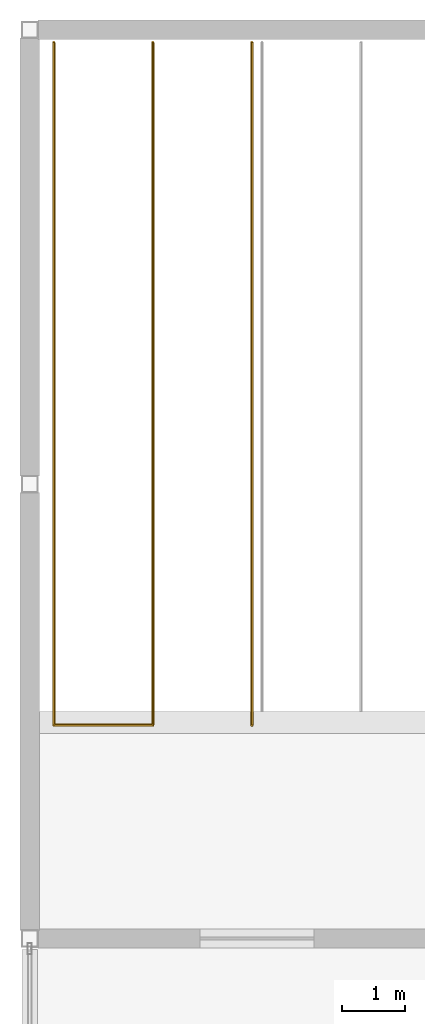
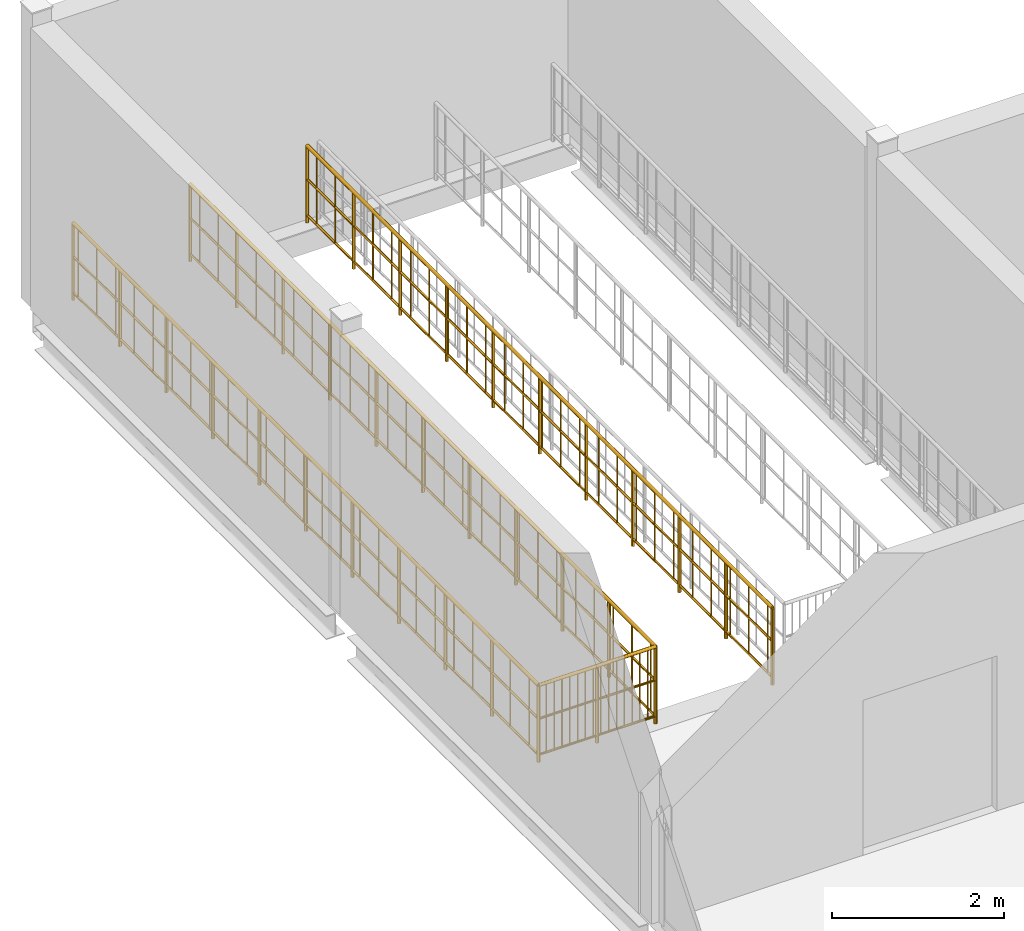
# One storey, part 15 of 18: 2 railings.
"""IFC4 building model written with IfcOpenShell, lengths in metres."""

from ifc_helpers import new_model, si_unit, direction, frame, origin, origin_2d, place, context, subcontext, project, spatial, circle, extrude, material, type_object, element, save


model = new_model("IFC4")

# Units and contexts
model_context = context("Model", 3, precision=1e-05, world=origin(), true_north=direction((0.0, 1.0)))
body_context = subcontext(model_context, "Body", "Model", "MODEL_VIEW")
ifc_project = project(units=[si_unit("LENGTHUNIT", "METRE"), si_unit("AREAUNIT", "SQUARE_METRE"), si_unit("VOLUMEUNIT", "CUBIC_METRE"), si_unit("PLANEANGLEUNIT", "RADIAN"), si_unit("MASSUNIT", "GRAM", prefix="KILO")], contexts=[model_context])

# Site, building, storey
site_placement = place(None, origin())
site = spatial("IfcSite", under=ifc_project, at=site_placement, CompositionType="ELEMENT")
building_placement = place(site_placement, origin())
building = spatial("IfcBuilding", under=site, at=building_placement, Name="Vesperath Aquatics Centre", CompositionType="ELEMENT")
storey_placement = place(building_placement, frame((0.0, 0.0, 23.39990234375)))
storey = spatial("IfcBuildingStorey", under=building, at=storey_placement, Name="L05", CompositionType="ELEMENT", Elevation=23.39990234375)

# Railings
ifc_material = material(Name="Powder-coated galvanized steel safety guard", Category="steel")
railing_type = type_object("IfcRailingType", Name="RL-GRD01", PredefinedType="GUARDRAIL", material=ifc_material)
railing_1_placement = place(storey_placement, frame((115.580078125, 35.800048828125, 0.0)))
element("IfcRailing", 1, at=railing_1_placement, inside=storey, type_object=railing_type, Name="Stair ST7A Top Well Guard GR02 L05", PredefinedType="GUARDRAIL", context=body_context, shape_type="SweptSolid", body=[
    extrude(circle(Radius=0.02392578125, at=origin_2d()), frame((0.0, 0.0, 1.0859375), z_axis=(0.0, -1.0, 0.0), x_axis=(1.0, 0.0, 0.0)), (0.0, 0.0, 1.0), 10.820068359375),
    extrude(circle(Radius=0.01611328125, at=origin_2d()), frame((0.0, 0.0, 0.10009765625), z_axis=(0.0, -1.0, 0.0), x_axis=(1.0, 0.0, 0.0)), (0.0, 0.0, 1.0), 10.820068359375),
    extrude(circle(Radius=0.01611328125, at=origin_2d()), frame((0.0, 0.0, 0.610595703125), z_axis=(0.0, -1.0, 0.0), x_axis=(1.0, 0.0, 0.0)), (0.0, 0.0, 1.0), 10.820068359375),
    extrude(circle(Radius=0.009033203125, at=origin_2d()), frame((0.0, -0.109375, 0.10009765625)), (0.0, 0.0, 1.0), 0.9619140625),
    extrude(circle(Radius=0.009033203125, at=origin_2d()), frame((0.0, -0.54638671875, 0.10009765625)), (0.0, 0.0, 1.0), 0.9619140625),
    extrude(circle(Radius=0.009033203125, at=origin_2d()), frame((0.0, -0.983642578125, 0.10009765625)), (0.0, 0.0, 1.0), 0.9619140625),
    extrude(circle(Radius=0.009033203125, at=origin_2d()), frame((0.0, -1.4208984375, 0.10009765625)), (0.0, 0.0, 1.0), 0.9619140625),
    extrude(circle(Radius=0.009033203125, at=origin_2d()), frame((0.0, -1.85791015625, 0.10009765625)), (0.0, 0.0, 1.0), 0.9619140625),
    extrude(circle(Radius=0.009033203125, at=origin_2d()), frame((0.0, -2.295166015625, 0.10009765625)), (0.0, 0.0, 1.0), 0.9619140625),
    extrude(circle(Radius=0.009033203125, at=origin_2d()), frame((0.0, -2.732421875, 0.10009765625)), (0.0, 0.0, 1.0), 0.9619140625),
    extrude(circle(Radius=0.009033203125, at=origin_2d()), frame((0.0, -3.16943359375, 0.10009765625)), (0.0, 0.0, 1.0), 0.9619140625),
    extrude(circle(Radius=0.009033203125, at=origin_2d()), frame((0.0, -3.606689453125, 0.10009765625)), (0.0, 0.0, 1.0), 0.9619140625),
    extrude(circle(Radius=0.009033203125, at=origin_2d()), frame((0.0, -4.0439453125, 0.10009765625)), (0.0, 0.0, 1.0), 0.9619140625),
    extrude(circle(Radius=0.009033203125, at=origin_2d()), frame((0.0, -4.48095703125, 0.10009765625)), (0.0, 0.0, 1.0), 0.9619140625),
    extrude(circle(Radius=0.009033203125, at=origin_2d()), frame((0.0, -4.918212890625, 0.10009765625)), (0.0, 0.0, 1.0), 0.9619140625),
    extrude(circle(Radius=0.009033203125, at=origin_2d()), frame((0.0, -5.35546875, 0.10009765625)), (0.0, 0.0, 1.0), 0.9619140625),
    extrude(circle(Radius=0.009033203125, at=origin_2d()), frame((0.0, -5.79248046875, 0.10009765625)), (0.0, 0.0, 1.0), 0.9619140625),
    extrude(circle(Radius=0.009033203125, at=origin_2d()), frame((0.0, -6.229736328125, 0.10009765625)), (0.0, 0.0, 1.0), 0.9619140625),
    extrude(circle(Radius=0.009033203125, at=origin_2d()), frame((0.0, -6.6669921875, 0.10009765625)), (0.0, 0.0, 1.0), 0.9619140625),
    extrude(circle(Radius=0.009033203125, at=origin_2d()), frame((0.0, -7.10400390625, 0.10009765625)), (0.0, 0.0, 1.0), 0.9619140625),
    extrude(circle(Radius=0.009033203125, at=origin_2d()), frame((0.0, -7.541259765625, 0.10009765625)), (0.0, 0.0, 1.0), 0.9619140625),
    extrude(circle(Radius=0.009033203125, at=origin_2d()), frame((0.0, -7.978515625, 0.10009765625)), (0.0, 0.0, 1.0), 0.9619140625),
    extrude(circle(Radius=0.009033203125, at=origin_2d()), frame((0.0, -8.41552734375, 0.10009765625)), (0.0, 0.0, 1.0), 0.9619140625),
    extrude(circle(Radius=0.009033203125, at=origin_2d()), frame((0.0, -8.852783203125, 0.10009765625)), (0.0, 0.0, 1.0), 0.9619140625),
    extrude(circle(Radius=0.009033203125, at=origin_2d()), frame((0.0, -9.2900390625, 0.10009765625)), (0.0, 0.0, 1.0), 0.9619140625),
    extrude(circle(Radius=0.009033203125, at=origin_2d()), frame((0.0, -9.72705078125, 0.10009765625)), (0.0, 0.0, 1.0), 0.9619140625),
    extrude(circle(Radius=0.009033203125, at=origin_2d()), frame((0.0, -10.164306640625, 0.10009765625)), (0.0, 0.0, 1.0), 0.9619140625),
    extrude(circle(Radius=0.009033203125, at=origin_2d()), frame((0.0, -10.6015625, 0.10009765625)), (0.0, 0.0, 1.0), 0.9619140625),
    extrude(circle(Radius=0.02392578125, at=origin_2d()), frame((0.0, -10.820068359375, 1.0859375), z_axis=(1.0, 0.0, 0.0), x_axis=(0.0, 1.0, 0.0)), (0.0, 0.0, 1.0), 1.56982421875),
    extrude(circle(Radius=0.01611328125, at=origin_2d()), frame((0.0, -10.820068359375, 0.10009765625), z_axis=(1.0, 0.0, 0.0), x_axis=(0.0, 1.0, 0.0)), (0.0, 0.0, 1.0), 1.56982421875),
    extrude(circle(Radius=0.01611328125, at=origin_2d()), frame((0.0, -10.820068359375, 0.610595703125), z_axis=(1.0, 0.0, 0.0), x_axis=(0.0, 1.0, 0.0)), (0.0, 0.0, 1.0), 1.56982421875),
    extrude(circle(Radius=0.009033203125, at=origin_2d()), frame((0.104736328125, -10.820068359375, 0.10009765625)), (0.0, 0.0, 1.0), 0.9619140625),
    extrude(circle(Radius=0.009033203125, at=origin_2d()), frame((0.209228515625, -10.820068359375, 0.10009765625)), (0.0, 0.0, 1.0), 0.9619140625),
    extrude(circle(Radius=0.009033203125, at=origin_2d()), frame((0.31396484375, -10.820068359375, 0.10009765625)), (0.0, 0.0, 1.0), 0.9619140625),
    extrude(circle(Radius=0.009033203125, at=origin_2d()), frame((0.418701171875, -10.820068359375, 0.10009765625)), (0.0, 0.0, 1.0), 0.9619140625),
    extrude(circle(Radius=0.009033203125, at=origin_2d()), frame((0.523193359375, -10.820068359375, 0.10009765625)), (0.0, 0.0, 1.0), 0.9619140625),
    extrude(circle(Radius=0.009033203125, at=origin_2d()), frame((0.6279296875, -10.820068359375, 0.10009765625)), (0.0, 0.0, 1.0), 0.9619140625),
    extrude(circle(Radius=0.009033203125, at=origin_2d()), frame((0.732666015625, -10.820068359375, 0.10009765625)), (0.0, 0.0, 1.0), 0.9619140625),
    extrude(circle(Radius=0.009033203125, at=origin_2d()), frame((0.837158203125, -10.820068359375, 0.10009765625)), (0.0, 0.0, 1.0), 0.9619140625),
    extrude(circle(Radius=0.009033203125, at=origin_2d()), frame((0.94189453125, -10.820068359375, 0.10009765625)), (0.0, 0.0, 1.0), 0.9619140625),
    extrude(circle(Radius=0.009033203125, at=origin_2d()), frame((1.046630859375, -10.820068359375, 0.10009765625)), (0.0, 0.0, 1.0), 0.9619140625),
    extrude(circle(Radius=0.009033203125, at=origin_2d()), frame((1.151123046875, -10.820068359375, 0.10009765625)), (0.0, 0.0, 1.0), 0.9619140625),
    extrude(circle(Radius=0.009033203125, at=origin_2d()), frame((1.255859375, -10.820068359375, 0.10009765625)), (0.0, 0.0, 1.0), 0.9619140625),
    extrude(circle(Radius=0.009033203125, at=origin_2d()), frame((1.360595703125, -10.820068359375, 0.10009765625)), (0.0, 0.0, 1.0), 0.9619140625),
    extrude(circle(Radius=0.009033203125, at=origin_2d()), frame((1.465087890625, -10.820068359375, 0.10009765625)), (0.0, 0.0, 1.0), 0.9619140625),
    extrude(circle(Radius=0.02392578125, at=origin_2d()), frame((1.56982421875, -10.820068359375, 1.0859375), z_axis=(0.0, 1.0, 0.0), x_axis=(-1.0, 0.0, 0.0)), (0.0, 0.0, 1.0), 10.820068359375),
    extrude(circle(Radius=0.01611328125, at=origin_2d()), frame((1.56982421875, -10.820068359375, 0.10009765625), z_axis=(0.0, 1.0, 0.0), x_axis=(-1.0, 0.0, 0.0)), (0.0, 0.0, 1.0), 10.820068359375),
    extrude(circle(Radius=0.01611328125, at=origin_2d()), frame((1.56982421875, -10.820068359375, 0.610595703125), z_axis=(0.0, 1.0, 0.0), x_axis=(-1.0, 0.0, 0.0)), (0.0, 0.0, 1.0), 10.820068359375),
    extrude(circle(Radius=0.009033203125, at=origin_2d()), frame((1.56982421875, -10.710693359375, 0.10009765625)), (0.0, 0.0, 1.0), 0.9619140625),
    extrude(circle(Radius=0.009033203125, at=origin_2d()), frame((1.56982421875, -10.273681640625, 0.10009765625)), (0.0, 0.0, 1.0), 0.9619140625),
    extrude(circle(Radius=0.009033203125, at=origin_2d()), frame((1.56982421875, -9.83642578125, 0.10009765625)), (0.0, 0.0, 1.0), 0.9619140625),
    extrude(circle(Radius=0.009033203125, at=origin_2d()), frame((1.56982421875, -9.399169921875, 0.10009765625)), (0.0, 0.0, 1.0), 0.9619140625),
    extrude(circle(Radius=0.009033203125, at=origin_2d()), frame((1.56982421875, -8.962158203125, 0.10009765625)), (0.0, 0.0, 1.0), 0.9619140625),
    extrude(circle(Radius=0.009033203125, at=origin_2d()), frame((1.56982421875, -8.52490234375, 0.10009765625)), (0.0, 0.0, 1.0), 0.9619140625),
    extrude(circle(Radius=0.009033203125, at=origin_2d()), frame((1.56982421875, -8.087646484375, 0.10009765625)), (0.0, 0.0, 1.0), 0.9619140625),
    extrude(circle(Radius=0.009033203125, at=origin_2d()), frame((1.56982421875, -7.650634765625, 0.10009765625)), (0.0, 0.0, 1.0), 0.9619140625),
    extrude(circle(Radius=0.009033203125, at=origin_2d()), frame((1.56982421875, -7.21337890625, 0.10009765625)), (0.0, 0.0, 1.0), 0.9619140625),
    extrude(circle(Radius=0.009033203125, at=origin_2d()), frame((1.56982421875, -6.776123046875, 0.10009765625)), (0.0, 0.0, 1.0), 0.9619140625),
    extrude(circle(Radius=0.009033203125, at=origin_2d()), frame((1.56982421875, -6.339111328125, 0.10009765625)), (0.0, 0.0, 1.0), 0.9619140625),
    extrude(circle(Radius=0.009033203125, at=origin_2d()), frame((1.56982421875, -5.90185546875, 0.10009765625)), (0.0, 0.0, 1.0), 0.9619140625),
    extrude(circle(Radius=0.009033203125, at=origin_2d()), frame((1.56982421875, -5.464599609375, 0.10009765625)), (0.0, 0.0, 1.0), 0.9619140625),
    extrude(circle(Radius=0.009033203125, at=origin_2d()), frame((1.56982421875, -5.027587890625, 0.10009765625)), (0.0, 0.0, 1.0), 0.9619140625),
    extrude(circle(Radius=0.009033203125, at=origin_2d()), frame((1.56982421875, -4.59033203125, 0.10009765625)), (0.0, 0.0, 1.0), 0.9619140625),
    extrude(circle(Radius=0.009033203125, at=origin_2d()), frame((1.56982421875, -4.153076171875, 0.10009765625)), (0.0, 0.0, 1.0), 0.9619140625),
    extrude(circle(Radius=0.009033203125, at=origin_2d()), frame((1.56982421875, -3.716064453125, 0.10009765625)), (0.0, 0.0, 1.0), 0.9619140625),
    extrude(circle(Radius=0.009033203125, at=origin_2d()), frame((1.56982421875, -3.27880859375, 0.10009765625)), (0.0, 0.0, 1.0), 0.9619140625),
    extrude(circle(Radius=0.009033203125, at=origin_2d()), frame((1.56982421875, -2.841552734375, 0.10009765625)), (0.0, 0.0, 1.0), 0.9619140625),
    extrude(circle(Radius=0.009033203125, at=origin_2d()), frame((1.56982421875, -2.404541015625, 0.10009765625)), (0.0, 0.0, 1.0), 0.9619140625),
    extrude(circle(Radius=0.009033203125, at=origin_2d()), frame((1.56982421875, -1.96728515625, 0.10009765625)), (0.0, 0.0, 1.0), 0.9619140625),
    extrude(circle(Radius=0.009033203125, at=origin_2d()), frame((1.56982421875, -1.530029296875, 0.10009765625)), (0.0, 0.0, 1.0), 0.9619140625),
    extrude(circle(Radius=0.009033203125, at=origin_2d()), frame((1.56982421875, -1.093017578125, 0.10009765625)), (0.0, 0.0, 1.0), 0.9619140625),
    extrude(circle(Radius=0.009033203125, at=origin_2d()), frame((1.56982421875, -0.65576171875, 0.10009765625)), (0.0, 0.0, 1.0), 0.9619140625),
    extrude(circle(Radius=0.009033203125, at=origin_2d()), frame((1.56982421875, -0.218505859375, 0.10009765625)), (0.0, 0.0, 1.0), 0.9619140625),
    extrude(circle(Radius=0.02197265625, at=origin_2d()), origin(), (0.0, 0.0, 1.0), 1.0859375),
    extrude(circle(Radius=0.02197265625, at=origin_2d()), frame((0.0, -1.08203125, 0.0)), (0.0, 0.0, 1.0), 1.0859375),
    extrude(circle(Radius=0.02197265625, at=origin_2d()), frame((0.0, -2.1640625, 0.0)), (0.0, 0.0, 1.0), 1.0859375),
    extrude(circle(Radius=0.02197265625, at=origin_2d()), frame((0.0, -3.24609375, 0.0)), (0.0, 0.0, 1.0), 1.0859375),
    extrude(circle(Radius=0.02197265625, at=origin_2d()), frame((0.0, -4.328125, 0.0)), (0.0, 0.0, 1.0), 1.0859375),
    extrude(circle(Radius=0.02197265625, at=origin_2d()), frame((0.0, -5.41015625, 0.0)), (0.0, 0.0, 1.0), 1.0859375),
    extrude(circle(Radius=0.02197265625, at=origin_2d()), frame((0.0, -6.491943359375, 0.0)), (0.0, 0.0, 1.0), 1.0859375),
    extrude(circle(Radius=0.02197265625, at=origin_2d()), frame((0.0, -7.573974609375, 0.0)), (0.0, 0.0, 1.0), 1.0859375),
    extrude(circle(Radius=0.02197265625, at=origin_2d()), frame((0.0, -8.656005859375, 0.0)), (0.0, 0.0, 1.0), 1.0859375),
    extrude(circle(Radius=0.02197265625, at=origin_2d()), frame((0.0, -9.738037109375, 0.0)), (0.0, 0.0, 1.0), 1.0859375),
    extrude(circle(Radius=0.02197265625, at=origin_2d()), frame((0.0, -10.820068359375, 0.0)), (0.0, 0.0, 1.0), 1.0859375),
    extrude(circle(Radius=0.02197265625, at=origin_2d()), frame((0.784912109375, -10.820068359375, 0.0)), (0.0, 0.0, 1.0), 1.0859375),
    extrude(circle(Radius=0.02197265625, at=origin_2d()), frame((1.56982421875, -10.820068359375, 0.0)), (0.0, 0.0, 1.0), 1.0859375),
    extrude(circle(Radius=0.02197265625, at=origin_2d()), frame((1.56982421875, -9.738037109375, 0.0)), (0.0, 0.0, 1.0), 1.0859375),
    extrude(circle(Radius=0.02197265625, at=origin_2d()), frame((1.56982421875, -8.656005859375, 0.0)), (0.0, 0.0, 1.0), 1.0859375),
    extrude(circle(Radius=0.02197265625, at=origin_2d()), frame((1.56982421875, -7.573974609375, 0.0)), (0.0, 0.0, 1.0), 1.0859375),
    extrude(circle(Radius=0.02197265625, at=origin_2d()), frame((1.56982421875, -6.491943359375, 0.0)), (0.0, 0.0, 1.0), 1.0859375),
    extrude(circle(Radius=0.02197265625, at=origin_2d()), frame((1.56982421875, -5.41015625, 0.0)), (0.0, 0.0, 1.0), 1.0859375),
    extrude(circle(Radius=0.02197265625, at=origin_2d()), frame((1.56982421875, -4.328125, 0.0)), (0.0, 0.0, 1.0), 1.0859375),
    extrude(circle(Radius=0.02197265625, at=origin_2d()), frame((1.56982421875, -3.24609375, 0.0)), (0.0, 0.0, 1.0), 1.0859375),
    extrude(circle(Radius=0.02197265625, at=origin_2d()), frame((1.56982421875, -2.1640625, 0.0)), (0.0, 0.0, 1.0), 1.0859375),
    extrude(circle(Radius=0.02197265625, at=origin_2d()), frame((1.56982421875, -1.08203125, 0.0)), (0.0, 0.0, 1.0), 1.0859375),
    extrude(circle(Radius=0.02197265625, at=origin_2d()), frame((1.56982421875, 0.0, 0.0)), (0.0, 0.0, 1.0), 1.0859375),
])
railing_2_placement = place(storey_placement, frame((118.719970703125, 24.97998046875, 0.0)))
element("IfcRailing", 2, at=railing_2_placement, inside=storey, type_object=railing_type, Name="Stair ST7A Top Side Guard GR02 L05", PredefinedType="GUARDRAIL", context=body_context, shape_type="SweptSolid", body=[
    extrude(circle(Radius=0.02392578125, at=origin_2d()), frame((0.0, 0.0, 1.0859375), z_axis=(0.0, 1.0, 0.0), x_axis=(-1.0, 0.0, 0.0)), (0.0, 0.0, 1.0), 10.820068359375),
    extrude(circle(Radius=0.01611328125, at=origin_2d()), frame((0.0, 0.0, 0.10009765625), z_axis=(0.0, 1.0, 0.0), x_axis=(-1.0, 0.0, 0.0)), (0.0, 0.0, 1.0), 10.820068359375),
    extrude(circle(Radius=0.01611328125, at=origin_2d()), frame((0.0, 0.0, 0.610595703125), z_axis=(0.0, 1.0, 0.0), x_axis=(-1.0, 0.0, 0.0)), (0.0, 0.0, 1.0), 10.820068359375),
    extrude(circle(Radius=0.009033203125, at=origin_2d()), frame((0.0, 0.109375, 0.10009765625)), (0.0, 0.0, 1.0), 0.9619140625),
    extrude(circle(Radius=0.009033203125, at=origin_2d()), frame((0.0, 0.54638671875, 0.10009765625)), (0.0, 0.0, 1.0), 0.9619140625),
    extrude(circle(Radius=0.009033203125, at=origin_2d()), frame((0.0, 0.983642578125, 0.10009765625)), (0.0, 0.0, 1.0), 0.9619140625),
    extrude(circle(Radius=0.009033203125, at=origin_2d()), frame((0.0, 1.4208984375, 0.10009765625)), (0.0, 0.0, 1.0), 0.9619140625),
    extrude(circle(Radius=0.009033203125, at=origin_2d()), frame((0.0, 1.85791015625, 0.10009765625)), (0.0, 0.0, 1.0), 0.9619140625),
    extrude(circle(Radius=0.009033203125, at=origin_2d()), frame((0.0, 2.295166015625, 0.10009765625)), (0.0, 0.0, 1.0), 0.9619140625),
    extrude(circle(Radius=0.009033203125, at=origin_2d()), frame((0.0, 2.732421875, 0.10009765625)), (0.0, 0.0, 1.0), 0.9619140625),
    extrude(circle(Radius=0.009033203125, at=origin_2d()), frame((0.0, 3.16943359375, 0.10009765625)), (0.0, 0.0, 1.0), 0.9619140625),
    extrude(circle(Radius=0.009033203125, at=origin_2d()), frame((0.0, 3.606689453125, 0.10009765625)), (0.0, 0.0, 1.0), 0.9619140625),
    extrude(circle(Radius=0.009033203125, at=origin_2d()), frame((0.0, 4.0439453125, 0.10009765625)), (0.0, 0.0, 1.0), 0.9619140625),
    extrude(circle(Radius=0.009033203125, at=origin_2d()), frame((0.0, 4.48095703125, 0.10009765625)), (0.0, 0.0, 1.0), 0.9619140625),
    extrude(circle(Radius=0.009033203125, at=origin_2d()), frame((0.0, 4.918212890625, 0.10009765625)), (0.0, 0.0, 1.0), 0.9619140625),
    extrude(circle(Radius=0.009033203125, at=origin_2d()), frame((0.0, 5.35546875, 0.10009765625)), (0.0, 0.0, 1.0), 0.9619140625),
    extrude(circle(Radius=0.009033203125, at=origin_2d()), frame((0.0, 5.79248046875, 0.10009765625)), (0.0, 0.0, 1.0), 0.9619140625),
    extrude(circle(Radius=0.009033203125, at=origin_2d()), frame((0.0, 6.229736328125, 0.10009765625)), (0.0, 0.0, 1.0), 0.9619140625),
    extrude(circle(Radius=0.009033203125, at=origin_2d()), frame((0.0, 6.6669921875, 0.10009765625)), (0.0, 0.0, 1.0), 0.9619140625),
    extrude(circle(Radius=0.009033203125, at=origin_2d()), frame((0.0, 7.10400390625, 0.10009765625)), (0.0, 0.0, 1.0), 0.9619140625),
    extrude(circle(Radius=0.009033203125, at=origin_2d()), frame((0.0, 7.541259765625, 0.10009765625)), (0.0, 0.0, 1.0), 0.9619140625),
    extrude(circle(Radius=0.009033203125, at=origin_2d()), frame((0.0, 7.978515625, 0.10009765625)), (0.0, 0.0, 1.0), 0.9619140625),
    extrude(circle(Radius=0.009033203125, at=origin_2d()), frame((0.0, 8.41552734375, 0.10009765625)), (0.0, 0.0, 1.0), 0.9619140625),
    extrude(circle(Radius=0.009033203125, at=origin_2d()), frame((0.0, 8.852783203125, 0.10009765625)), (0.0, 0.0, 1.0), 0.9619140625),
    extrude(circle(Radius=0.009033203125, at=origin_2d()), frame((0.0, 9.2900390625, 0.10009765625)), (0.0, 0.0, 1.0), 0.9619140625),
    extrude(circle(Radius=0.009033203125, at=origin_2d()), frame((0.0, 9.72705078125, 0.10009765625)), (0.0, 0.0, 1.0), 0.9619140625),
    extrude(circle(Radius=0.009033203125, at=origin_2d()), frame((0.0, 10.164306640625, 0.10009765625)), (0.0, 0.0, 1.0), 0.9619140625),
    extrude(circle(Radius=0.009033203125, at=origin_2d()), frame((0.0, 10.6015625, 0.10009765625)), (0.0, 0.0, 1.0), 0.9619140625),
    extrude(circle(Radius=0.02197265625, at=origin_2d()), origin(), (0.0, 0.0, 1.0), 1.0859375),
    extrude(circle(Radius=0.02197265625, at=origin_2d()), frame((0.0, 1.08203125, 0.0)), (0.0, 0.0, 1.0), 1.0859375),
    extrude(circle(Radius=0.02197265625, at=origin_2d()), frame((0.0, 2.1640625, 0.0)), (0.0, 0.0, 1.0), 1.0859375),
    extrude(circle(Radius=0.02197265625, at=origin_2d()), frame((0.0, 3.24609375, 0.0)), (0.0, 0.0, 1.0), 1.0859375),
    extrude(circle(Radius=0.02197265625, at=origin_2d()), frame((0.0, 4.328125, 0.0)), (0.0, 0.0, 1.0), 1.0859375),
    extrude(circle(Radius=0.02197265625, at=origin_2d()), frame((0.0, 5.41015625, 0.0)), (0.0, 0.0, 1.0), 1.0859375),
    extrude(circle(Radius=0.02197265625, at=origin_2d()), frame((0.0, 6.491943359375, 0.0)), (0.0, 0.0, 1.0), 1.0859375),
    extrude(circle(Radius=0.02197265625, at=origin_2d()), frame((0.0, 7.573974609375, 0.0)), (0.0, 0.0, 1.0), 1.0859375),
    extrude(circle(Radius=0.02197265625, at=origin_2d()), frame((0.0, 8.656005859375, 0.0)), (0.0, 0.0, 1.0), 1.0859375),
    extrude(circle(Radius=0.02197265625, at=origin_2d()), frame((0.0, 9.738037109375, 0.0)), (0.0, 0.0, 1.0), 1.0859375),
    extrude(circle(Radius=0.02197265625, at=origin_2d()), frame((0.0, 10.820068359375, 0.0)), (0.0, 0.0, 1.0), 1.0859375),
])

save(model, "model.ifc")
